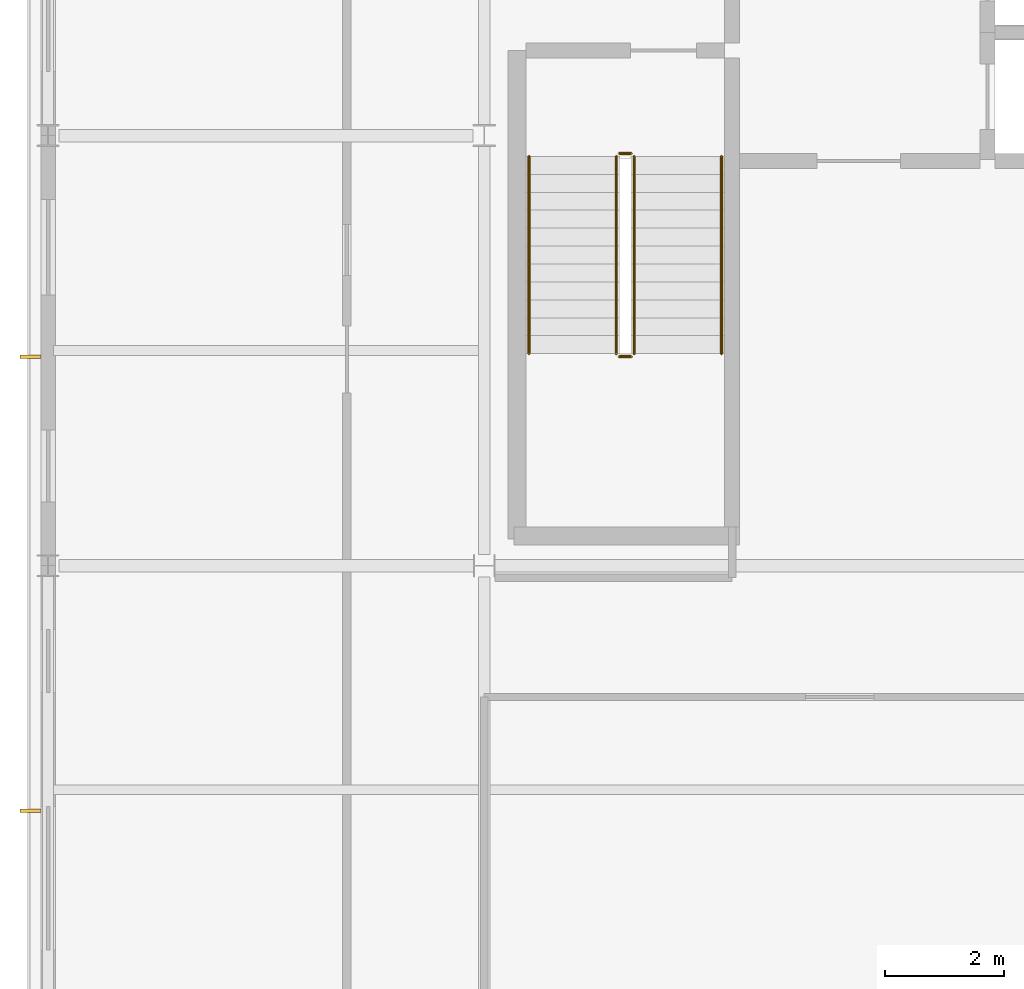
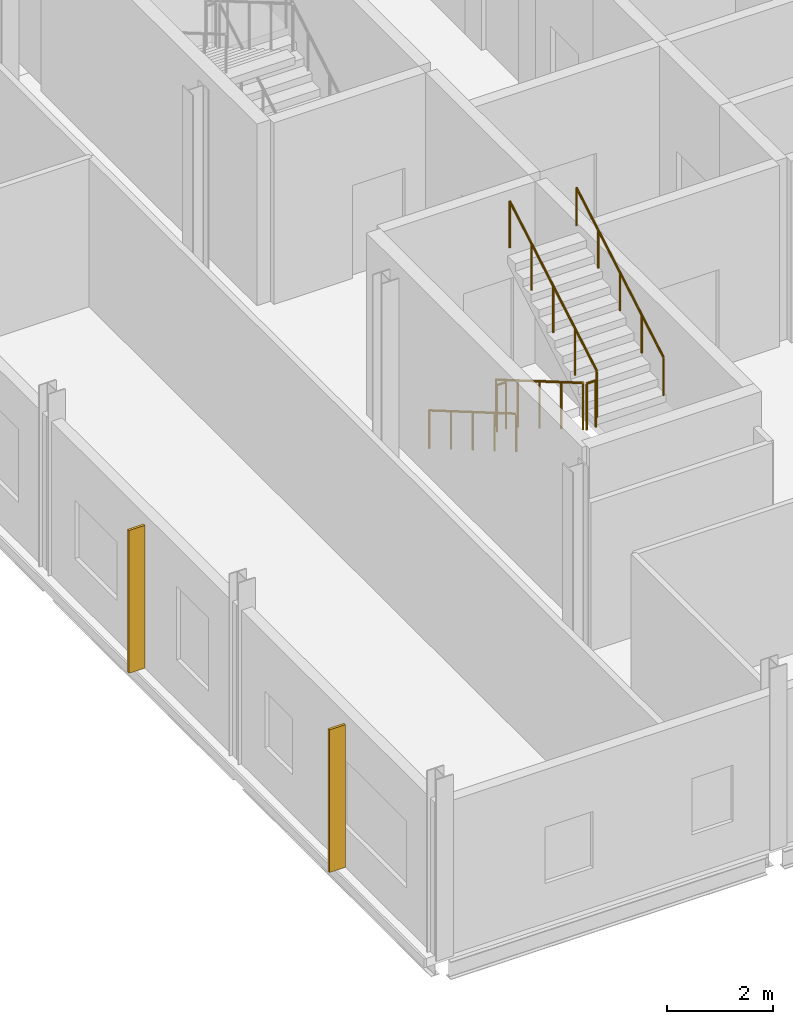
# One storey, part 14 of 16: 6 railings, 2 shading devices.
"""IFC4 building model written with IfcOpenShell, lengths in metres."""

import ifcopenshell
import ifcopenshell.guid

model = None  # the IFC model being written
_history = None  # IfcOwnerHistory: only IFC2X3 demands one
_inside = {}  # id of a spatial element -> (the spatial element, [elements in it])
_under = {}  # id of a project, library or spatial element -> (it, [spatial elements below it])
_declared = {}  # id of a project -> (the project, [libraries it declares])
_typed = {}  # id of a type object -> (the type object, [elements of that type])
_made_of = {}  # id of a material, layer set ... -> (it, [elements and type objects made of it])


def new_model(schema):
    """Start an empty IFC model of exactly this schema.

    Asked for "IFC4X3", IfcOpenShell would pick the latest addendum, in which some entities
    have other attributes; the version numbers below select the first issue.
    IFC2X3 requires an IfcOwnerHistory on every rooted entity: one is made here for all.
    """
    global model, _history
    if schema == "IFC4X3":
        model = ifcopenshell.file(schema_version=(4, 3, 0, 0))
    else:
        model = ifcopenshell.file(schema=schema)
    _inside.clear()
    _under.clear()
    _declared.clear()
    _typed.clear()
    _made_of.clear()
    _history = None
    if model.schema == "IFC2X3":
        org = make("IfcOrganization", Name="unknown")
        user = make(
            "IfcPersonAndOrganization",
            ThePerson=make("IfcPerson", FamilyName="unknown"),
            TheOrganization=org,
        )
        app = make(
            "IfcApplication",
            ApplicationDeveloper=org,
            Version="unknown",
            ApplicationFullName="unknown",
            ApplicationIdentifier="unknown",
        )
        _history = make(
            "IfcOwnerHistory",
            OwningUser=user,
            OwningApplication=app,
            ChangeAction="ADDED",
            CreationDate=0,
        )
    return model


def make(cls, **values):
    """One entity of the class cls with the attributes given. An attribute that is None is left unset."""
    return model.create_entity(
        cls, **{name: value for name, value in values.items() if value is not None}
    )


def rooted(cls, **values):
    """An entity with a GlobalId (a new one), such as an element, a storey or a relation."""
    return make(cls, GlobalId=ifcopenshell.guid.new(), OwnerHistory=_history, **values)


def si_unit(unit_type, name, prefix=None):
    """IfcSIUnit, for example si_unit("LENGTHUNIT", "METRE", prefix="MILLI")."""
    return make("IfcSIUnit", UnitType=unit_type, Prefix=prefix, Name=name)


def assignment(units):
    """IfcUnitAssignment: the units of a project."""
    return None if units is None else make("IfcUnitAssignment", Units=units)


def point(xyz):
    """IfcCartesianPoint."""
    return None if xyz is None else make("IfcCartesianPoint", Coordinates=xyz)


def direction(xyz):
    """IfcDirection."""
    return None if xyz is None else make("IfcDirection", DirectionRatios=xyz)


def frame(location, z_axis=None, x_axis=None):
    """IfcAxis2Placement3D, a coordinate frame: its origin and axes. An axis left out is left unset."""
    return make(
        "IfcAxis2Placement3D",
        Location=point(location),
        Axis=direction(z_axis),
        RefDirection=direction(x_axis),
    )


def frame_2d(location, x_axis=None):
    """IfcAxis2Placement2D, a coordinate frame in the plane: its origin and x axis."""
    return make(
        "IfcAxis2Placement2D", Location=point(location), RefDirection=direction(x_axis)
    )


def origin():
    """The frame at (0, 0, 0) with its axes left unset."""
    return frame((0.0, 0.0, 0.0))


def origin_2d():
    """The frame at (0, 0) in the plane with its x axis left unset."""
    return frame_2d((0.0, 0.0))


def place(relative_to, where):
    """IfcLocalPlacement: puts the frame where relative to a parent placement (None: the world)."""
    return make(
        "IfcLocalPlacement", PlacementRelTo=relative_to, RelativePlacement=where
    )


def context(
    kind, dimensions, precision=None, world=None, true_north=None, identifier=None
):
    """IfcGeometricRepresentationContext, for example the 3D "Model" context."""
    return make(
        "IfcGeometricRepresentationContext",
        ContextIdentifier=identifier,
        ContextType=kind,
        CoordinateSpaceDimension=dimensions,
        Precision=precision,
        WorldCoordinateSystem=world,
        TrueNorth=true_north,
    )


def subcontext(parent, identifier, kind, view, scale=None):
    """IfcGeometricRepresentationSubContext, for example "Body" below "Model"."""
    return make(
        "IfcGeometricRepresentationSubContext",
        ContextIdentifier=identifier,
        ContextType=kind,
        ParentContext=parent,
        TargetScale=scale,
        TargetView=view,
    )


def project(units=None, contexts=None):
    """IfcProject with its units and contexts."""
    return rooted(
        "IfcProject",
        Name="project",
        RepresentationContexts=contexts,
        UnitsInContext=assignment(units),
    )


def spatial(cls, under=None, at=None, **own):
    """A site, building, storey or space (cls), placed at a placement, below another one or the project."""
    s = rooted(cls, ObjectPlacement=at, **own)
    if under is not None:
        _under.setdefault(under.id(), (under, []))[1].append(s)
    return s


def profile(cls, at=None, kind="AREA", **sizes):
    """A parametric profile (cls). Its sizes go by their IFC names, for example OverallWidth=200.0."""
    return make(cls, ProfileType=kind, Position=at, **sizes)


def rectangle(**sizes):
    """IfcRectangleProfileDef."""
    return profile("IfcRectangleProfileDef", **sizes)


def circle(**sizes):
    """IfcCircleProfileDef."""
    return profile("IfcCircleProfileDef", **sizes)


def extrude(swept, where, along, depth):
    """IfcExtrudedAreaSolid: the profile swept, set in the frame where, extruded along a direction by depth."""
    return make(
        "IfcExtrudedAreaSolid",
        SweptArea=swept,
        Position=where,
        ExtrudedDirection=direction(along),
        Depth=depth,
    )


def shape(context_of_items, identifier, shape_type, items):
    """IfcShapeRepresentation: the items that make up one representation, for example the "Body"."""
    return make(
        "IfcShapeRepresentation",
        ContextOfItems=context_of_items,
        RepresentationIdentifier=identifier,
        RepresentationType=shape_type,
        Items=items,
    )


def material(Name=None, Category=None):
    """IfcMaterial."""
    return make("IfcMaterial", Name=Name, Category=Category)


def made_of(thing, what):
    """Note that an element or type object is made of a material, layer set ...; save() writes the relation."""
    if what is not None:
        _made_of.setdefault(what.id(), (what, []))[1].append(thing)
    return thing


def type_object(cls, material=None, **own):
    """A type object (cls), such as IfcWallType, which elements share."""
    return made_of(rooted(cls, **own), material)


def element(
    cls,
    number,
    at=None,
    inside=None,
    cuts=None,
    type_object=None,
    material=None,
    context=None,
    identifier="Body",
    shape_type=None,
    held_by="IfcProductDefinitionShape",
    body=None,
    shapes=None,
    **own,
):
    """One element of the class cls, such as IfcWall. Its Tag is "e" and its number.

    at: its placement. inside: the storey or other place that contains it. cuts: it is an
    opening in that element (IfcRelVoidsElement). A single representation is given by context,
    identifier, shape_type and body (its items); several are given by shapes. held_by: the class
    of the entity that holds the representations. save() writes the other relations.
    """
    e = rooted(cls, Tag="e%d" % number, ObjectPlacement=at, **own)
    if body is not None:
        shapes = [shape(context, identifier, shape_type, body)]
    if shapes is not None:
        e.Representation = make(held_by, Representations=shapes)
    if inside is not None:
        _inside.setdefault(inside.id(), (inside, []))[1].append(e)
    if cuts is not None:
        rooted(
            "IfcRelVoidsElement", RelatingBuildingElement=cuts, RelatedOpeningElement=e
        )
    if type_object is not None:
        _typed.setdefault(type_object.id(), (type_object, []))[1].append(e)
    return made_of(e, material)


def aggregate(whole, parts):
    """IfcRelAggregates: a whole, such as a stair, and the parts it consists of."""
    return rooted("IfcRelAggregates", RelatingObject=whole, RelatedObjects=parts)


def save(model, path):
    """Write the relations noted so far, then the file.

    IfcRelAggregates (storeys below a building ...), IfcRelContainedInSpatialStructure (elements
    in a storey), IfcRelDefinesByType, IfcRelAssociatesMaterial and IfcRelDeclares: one each for
    every whole, place, type object, material and project.
    """
    for whole, parts in _under.values():
        aggregate(whole, parts)
    for where, things in _inside.values():
        rooted(
            "IfcRelContainedInSpatialStructure",
            RelatedElements=things,
            RelatingStructure=where,
        )
    for kind, things in _typed.values():
        rooted("IfcRelDefinesByType", RelatedObjects=things, RelatingType=kind)
    for what, things in _made_of.values():
        rooted("IfcRelAssociatesMaterial", RelatedObjects=things, RelatingMaterial=what)
    for by, libraries in _declared.values():
        rooted("IfcRelDeclares", RelatingContext=by, RelatedDefinitions=libraries)
    model.write(path)


model = new_model("IFC4")

# Units and contexts
model_context = context("Model", 3, precision=1e-05, world=origin(), true_north=direction((0.0, 1.0)))
body_context = subcontext(model_context, "Body", "Model", "MODEL_VIEW")
ifc_project = project(units=[si_unit("LENGTHUNIT", "METRE"), si_unit("AREAUNIT", "SQUARE_METRE"), si_unit("VOLUMEUNIT", "CUBIC_METRE"), si_unit("PLANEANGLEUNIT", "RADIAN"), si_unit("MASSUNIT", "GRAM", prefix="KILO")], contexts=[model_context])

# Site, building, storey
site_placement = place(None, origin())
site = spatial("IfcSite", under=ifc_project, at=site_placement, CompositionType="ELEMENT")
building_placement = place(site_placement, origin())
building = spatial("IfcBuilding", under=site, at=building_placement, Name="Quillay Park Conservatory", CompositionType="ELEMENT")
storey_placement = place(building_placement, frame((0.0, 0.0, 43.5)))
storey = spatial("IfcBuildingStorey", under=building, at=storey_placement, Name="L10", CompositionType="ELEMENT", Elevation=43.5)

# Railings
ifc_material_1 = material(Name="Steel S355J2H", Category="steel")
railing_type_1 = type_object("IfcRailingType", Name="STAIR WALL HANDRAIL 900", PredefinedType="HANDRAIL", material=ifc_material_1)
railing_1_placement = place(storey_placement, frame((8.60009765625, 84.85009765625, 0.175048828125)))
element("IfcRailing", 1, at=railing_1_placement, inside=storey, type_object=railing_type_1, Name="L10 ST-T2 stair handrail 1", PredefinedType="HANDRAIL", context=body_context, shape_type="SweptSolid", body=[
    extrude(circle(Radius=0.02392578125, at=origin_2d()), frame((0.0, 0.0, 0.8759765625), z_axis=(0.0, -0.863776583165, 0.503874998761), x_axis=(1.0, 0.0, 0.0)), (0.0, 0.0, 1.0), 3.820556640625),
    extrude(circle(Radius=0.02099609375, at=origin_2d()), origin(), (0.0, 0.0, 1.0), 0.851806640625),
    extrude(circle(Radius=0.02099609375, at=origin_2d()), frame((0.0, -0.824951171875, 0.481201171875)), (0.0, 0.0, 1.0), 0.851806640625),
    extrude(circle(Radius=0.02099609375, at=origin_2d()), frame((0.0, -1.64990234375, 0.96240234375)), (0.0, 0.0, 1.0), 0.851806640625),
    extrude(circle(Radius=0.02099609375, at=origin_2d()), frame((0.0, -2.47509765625, 1.44384765625)), (0.0, 0.0, 1.0), 0.851806640625),
    extrude(circle(Radius=0.02099609375, at=origin_2d()), frame((0.0, -3.300048828125, 1.925048828125)), (0.0, 0.0, 1.0), 0.851806640625),
])
railing_2_placement = place(storey_placement, frame((11.820068359375, 81.550048828125, 2.27490234375)))
element("IfcRailing", 2, at=railing_2_placement, inside=storey, type_object=railing_type_1, Name="L10 ST-T2 stair handrail 2", PredefinedType="HANDRAIL", context=body_context, shape_type="SweptSolid", body=[
    extrude(circle(Radius=0.02392578125, at=origin_2d()), frame((0.0, 0.0, 0.8759765625), z_axis=(0.0, 0.863776583165, 0.503874998761), x_axis=(-1.0, 0.0, 0.0)), (0.0, 0.0, 1.0), 3.820556640625),
    extrude(circle(Radius=0.02099609375, at=origin_2d()), origin(), (0.0, 0.0, 1.0), 0.851806640625),
    extrude(circle(Radius=0.02099609375, at=origin_2d()), frame((0.0, 0.824951171875, 0.481201171875)), (0.0, 0.0, 1.0), 0.851806640625),
    extrude(circle(Radius=0.02099609375, at=origin_2d()), frame((0.0, 1.64990234375, 0.96240234375)), (0.0, 0.0, 1.0), 0.851806640625),
    extrude(circle(Radius=0.02099609375, at=origin_2d()), frame((0.0, 2.47509765625, 1.44384765625)), (0.0, 0.0, 1.0), 0.851806640625),
    extrude(circle(Radius=0.02099609375, at=origin_2d()), frame((0.0, 3.300048828125, 1.925048828125)), (0.0, 0.0, 1.0), 0.851806640625),
])
ifc_material_2 = material(Name="Steel S355J2H", Category="steel")
railing_type_2 = type_object("IfcRailingType", Name="STAIR WELL GUARDRAIL 1100", PredefinedType="GUARDRAIL", material=ifc_material_2)
railing_3_placement = place(storey_placement, frame((10.06005859375, 84.85009765625, 0.175048828125)))
element("IfcRailing", 3, at=railing_3_placement, inside=storey, type_object=railing_type_2, Name="L10 ST-T2 stair guard 1", PredefinedType="GUARDRAIL", context=body_context, shape_type="SweptSolid", body=[
    extrude(circle(Radius=0.02392578125, at=origin_2d()), frame((0.0, 0.0, 1.076171875), z_axis=(0.0, -0.863776583165, 0.503874998761), x_axis=(1.0, 0.0, 0.0)), (0.0, 0.0, 1.0), 3.820556640625),
    extrude(circle(Radius=0.02099609375, at=origin_2d()), origin(), (0.0, 0.0, 1.0), 1.052001953125),
    extrude(circle(Radius=0.02099609375, at=origin_2d()), frame((0.0, -0.824951171875, 0.481201171875)), (0.0, 0.0, 1.0), 1.052001953125),
    extrude(circle(Radius=0.02099609375, at=origin_2d()), frame((0.0, -1.64990234375, 0.96240234375)), (0.0, 0.0, 1.0), 1.052001953125),
    extrude(circle(Radius=0.02099609375, at=origin_2d()), frame((0.0, -2.47509765625, 1.44384765625)), (0.0, 0.0, 1.0), 1.052001953125),
    extrude(circle(Radius=0.02099609375, at=origin_2d()), frame((0.0, -3.300048828125, 1.925048828125)), (0.0, 0.0, 1.0), 1.052001953125),
])
railing_4_placement = place(storey_placement, frame((10.110107421875, 81.5, 2.10009765625)))
element("IfcRailing", 4, at=railing_4_placement, inside=storey, type_object=railing_type_2, Name="L10 ST-T2 stair guard 2", PredefinedType="GUARDRAIL", context=body_context, shape_type="SweptSolid", body=[
    extrude(circle(Radius=0.02392578125, at=origin_2d()), frame((0.0, 0.0, 1.076171875), z_axis=(1.0, 0.0, 0.0), x_axis=(0.0, 1.0, 0.0)), (0.0, 0.0, 1.0), 0.199951171875),
    extrude(circle(Radius=0.02099609375, at=origin_2d()), origin(), (0.0, 0.0, 1.0), 1.052001953125),
    extrude(circle(Radius=0.02099609375, at=origin_2d()), frame((0.199951171875, 0.0, 0.0)), (0.0, 0.0, 1.0), 1.052001953125),
])
railing_5_placement = place(storey_placement, frame((10.360107421875, 81.550048828125, 2.27490234375)))
element("IfcRailing", 5, at=railing_5_placement, inside=storey, type_object=railing_type_2, Name="L10 ST-T2 stair guard 3", PredefinedType="GUARDRAIL", context=body_context, shape_type="SweptSolid", body=[
    extrude(circle(Radius=0.02392578125, at=origin_2d()), frame((0.0, 0.0, 1.076171875), z_axis=(0.0, 0.863776583165, 0.503874998761), x_axis=(-1.0, 0.0, 0.0)), (0.0, 0.0, 1.0), 3.820556640625),
    extrude(circle(Radius=0.02099609375, at=origin_2d()), origin(), (0.0, 0.0, 1.0), 1.052001953125),
    extrude(circle(Radius=0.02099609375, at=origin_2d()), frame((0.0, 0.824951171875, 0.481201171875)), (0.0, 0.0, 1.0), 1.052001953125),
    extrude(circle(Radius=0.02099609375, at=origin_2d()), frame((0.0, 1.64990234375, 0.96240234375)), (0.0, 0.0, 1.0), 1.052001953125),
    extrude(circle(Radius=0.02099609375, at=origin_2d()), frame((0.0, 2.47509765625, 1.44384765625)), (0.0, 0.0, 1.0), 1.052001953125),
    extrude(circle(Radius=0.02099609375, at=origin_2d()), frame((0.0, 3.300048828125, 1.925048828125)), (0.0, 0.0, 1.0), 1.052001953125),
])
railing_6_placement = place(storey_placement, frame((10.110107421875, 84.89990234375, 0.0)))
element("IfcRailing", 6, at=railing_6_placement, inside=storey, type_object=railing_type_2, Name="L10 ST-T2 stair guard 4", PredefinedType="GUARDRAIL", context=body_context, shape_type="SweptSolid", body=[
    extrude(circle(Radius=0.02392578125, at=origin_2d()), frame((0.0, 0.0, 1.076171875), z_axis=(1.0, 0.0, 0.0), x_axis=(0.0, 1.0, 0.0)), (0.0, 0.0, 1.0), 0.199951171875),
    extrude(circle(Radius=0.02099609375, at=origin_2d()), origin(), (0.0, 0.0, 1.0), 1.052001953125),
    extrude(circle(Radius=0.02099609375, at=origin_2d()), frame((0.199951171875, 0.0, 0.0)), (0.0, 0.0, 1.0), 1.052001953125),
])

# Shading devices
ifc_material_3 = material(Name="Perforated Copper-Bronze Anodised Aluminium", Category="aluminium")
shading_device_type = type_object("IfcShadingDeviceType", Name="COPPER BRONZE SOLAR FIN", PredefinedType="USERDEFINED", material=ifc_material_3)
for number, where, z_axis, x_axis, name in (
    (7, (0.2548828125, 73.89990234375, 0.0), (0.0, 0.0, 1.0), (1.0, 0.0, 0.0), "L10 Perforated Copper-Bronze Solar Fin 031"),
    (8, (0.2548828125, 81.5, 0.0), (0.0, 0.0, 1.0), (1.0, 0.0, 0.0), "L10 Perforated Copper-Bronze Solar Fin 032"),
):
    element("IfcShadingDevice", number, at=place(storey_placement, frame(where, z_axis=z_axis, x_axis=x_axis)), inside=storey, type_object=shading_device_type, Name=name, ObjectType="SOLAR FIN", PredefinedType="USERDEFINED", context=body_context, shape_type="SweptSolid", body=[
        extrude(rectangle(XDim=0.35009765625, YDim=0.054931640625, at=origin_2d()), origin(), (0.0, 0.0, 1.0), 3.300048828125),
    ])

save(model, "model.ifc")
